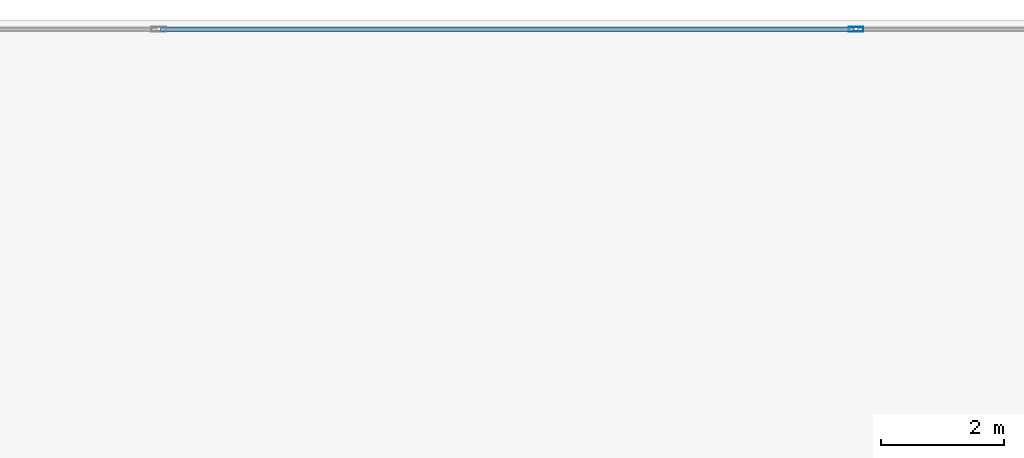
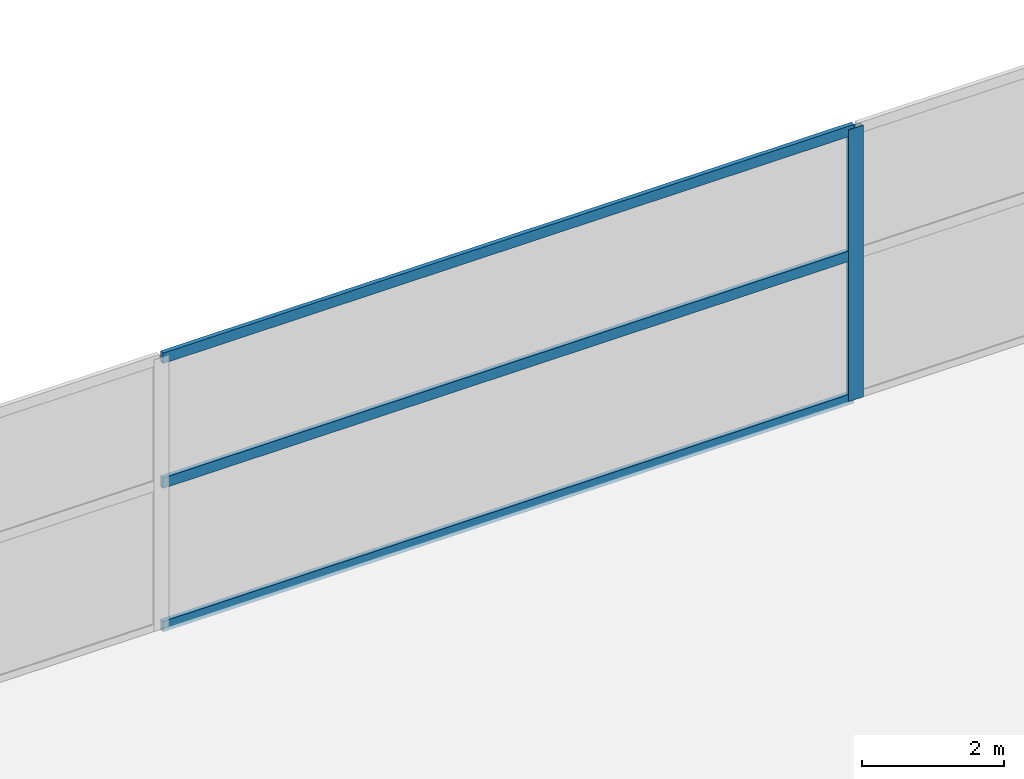
# One storey, part 17 of 35: 4 members, 1 element without a shape of its own.
"""IFC4 building model written with IfcOpenShell, lengths in metres."""

from ifc_helpers import new_model, si_unit, direction, frame, origin, origin_2d, place, context, subcontext, project, spatial, hollow_rectangle, extrude, material, layer, layer_set, material_profile, profile_set, type_object, element, aggregate, save


model = new_model("IFC4")

# Units and contexts
model_context = context("Model", 3, precision=1e-05, world=origin(), true_north=direction((0.0, 1.0)))
body_context = subcontext(model_context, "Body", "Model", "MODEL_VIEW")
ifc_project = project(units=[si_unit("LENGTHUNIT", "METRE"), si_unit("AREAUNIT", "SQUARE_METRE"), si_unit("VOLUMEUNIT", "CUBIC_METRE"), si_unit("PLANEANGLEUNIT", "RADIAN"), si_unit("MASSUNIT", "GRAM", prefix="KILO")], contexts=[model_context])

# Site, building, storey
site_placement = place(None, origin())
site = spatial("IfcSite", under=ifc_project, at=site_placement, CompositionType="ELEMENT")
building_placement = place(site_placement, origin())
building = spatial("IfcBuilding", under=site, at=building_placement, Name="Calvorn Quay Hotel", CompositionType="ELEMENT")
storey_placement = place(building_placement, frame((0.0, 0.0, 12.0)))
storey = spatial("IfcBuildingStorey", under=building, at=storey_placement, Name="L02", CompositionType="ELEMENT", Elevation=12.0)

# Curtain wall, members
ifc_material_1 = material(Name="Pale Anodised Aluminium and Low-E Glass", Category="aluminium")
ifc_layer = layer(ifc_material_1, 0.219970703125)
ifc_layer_set = layer_set([ifc_layer], Name="CW-SYS-POD")
curtain_wall_type = type_object("IfcCurtainWallType", Name="CW-SYS-POD", PredefinedType="NOTDEFINED", material=ifc_layer_set)
curtain_wall_placement = place(storey_placement, origin())
curtain_wall = element("IfcCurtainWall", 1, at=curtain_wall_placement, inside=storey, type_object=curtain_wall_type, Name="Podium Curtain Wall L02-N1", PredefinedType="NOTDEFINED")
ifc_material_2 = material(Name="Pale Anodised Aluminium 6063-T6", Category="aluminium")
ifc_material_profile_1 = material_profile(ifc_material_2, hollow_rectangle(XDim=0.080078125, YDim=0.239990234375, WallThickness=0.0048828125, at=origin_2d()), Name="ALU-M240x80x5")
ifc_profile_set_1 = profile_set([ifc_material_profile_1], Name="Pale Anodised Aluminium 6063-T6")
member_type_1 = type_object("IfcMemberType", Name="CW-SYS-POD-MUL", PredefinedType="MULLION", material=ifc_profile_set_1)
member_1_placement = place(storey_placement, frame((25.028564453125, 57.85009765625, 0.0), z_axis=(0.0, 0.0, 1.0), x_axis=(0.0, 1.0, 0.0)))
member_1 = element("IfcMember", 2, at=member_1_placement, type_object=member_type_1, Name="CW-L02-N1 mullion 3", PredefinedType="MULLION", context=body_context, shape_type="SweptSolid", body=[
    extrude(hollow_rectangle(XDim=0.080078125, YDim=0.239990234375, WallThickness=0.0048828125, at=origin_2d()), origin(), (0.0, 0.0, 1.0), 4.679931640625),
])
ifc_material_3 = material(Name="Pale Anodised Aluminium 6063-T6", Category="aluminium")
ifc_material_profile_2 = material_profile(ifc_material_3, hollow_rectangle(XDim=0.070068359375, YDim=0.179931640625, WallThickness=0.00390625, at=origin_2d()), Name="ALU-T180x70x4")
ifc_profile_set_2 = profile_set([ifc_material_profile_2], Name="Pale Anodised Aluminium 6063-T6")
member_type_2 = type_object("IfcMemberType", Name="CW-SYS-POD-TRN", PredefinedType="USERDEFINED", material=ifc_profile_set_2)
member_2_placement = place(storey_placement, frame((13.744384765625, 57.85009765625, 0.030029296875), z_axis=(1.0, 0.0, 0.0), x_axis=(0.0, 1.0, 0.0)))
member_2 = element("IfcMember", 3, at=member_2_placement, type_object=member_type_2, Name="CW-L02-N1 transom 2.1", ObjectType="TRANSOM", PredefinedType="USERDEFINED", context=body_context, shape_type="SweptSolid", body=[
    extrude(hollow_rectangle(XDim=0.070068359375, YDim=0.179931640625, WallThickness=0.00390625, at=origin_2d()), origin(), (0.0, 0.0, 1.0), 11.254150390625),
])
member_3_placement = place(storey_placement, frame((13.744384765625, 57.85009765625, 2.5), z_axis=(1.0, 0.0, 0.0), x_axis=(0.0, 1.0, 0.0)))
member_3 = element("IfcMember", 4, at=member_3_placement, type_object=member_type_2, Name="CW-L02-N1 transom 2.2", ObjectType="TRANSOM", PredefinedType="USERDEFINED", context=body_context, shape_type="SweptSolid", body=[
    extrude(hollow_rectangle(XDim=0.070068359375, YDim=0.179931640625, WallThickness=0.00390625, at=origin_2d()), origin(), (0.0, 0.0, 1.0), 11.254150390625),
])
member_4_placement = place(storey_placement, frame((13.744384765625, 57.85009765625, 4.64990234375), z_axis=(1.0, 0.0, 0.0), x_axis=(0.0, 1.0, 0.0)))
member_4 = element("IfcMember", 5, at=member_4_placement, type_object=member_type_2, Name="CW-L02-N1 transom 2.3", ObjectType="TRANSOM", PredefinedType="USERDEFINED", context=body_context, shape_type="SweptSolid", body=[
    extrude(hollow_rectangle(XDim=0.070068359375, YDim=0.179931640625, WallThickness=0.00390625, at=origin_2d()), origin(), (0.0, 0.0, 1.0), 11.254150390625),
])
aggregate(curtain_wall, [member_1, member_2, member_3, member_4])

save(model, "model.ifc")
